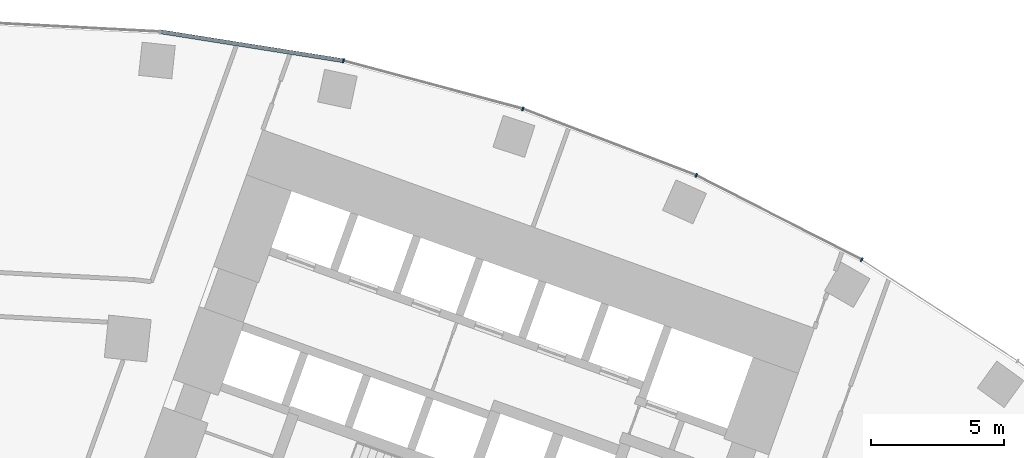
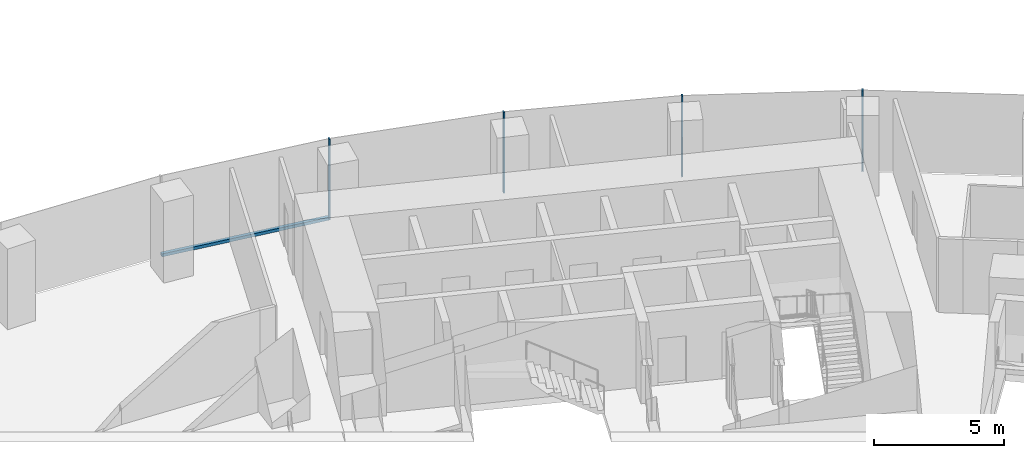
# One storey, part 11 of 21: 5 members, 1 element without a shape of its own.
"""IFC4 building model written with IfcOpenShell, lengths in metres."""

from ifc_helpers import new_model, si_unit, direction, frame, origin, origin_2d, place, context, subcontext, project, spatial, rectangle, extrude, material, layer, layer_set, material_profile, profile_set, type_object, element, aggregate, save


model = new_model("IFC4")

# Units and contexts
model_context = context("Model", 3, precision=1e-05, world=origin(), true_north=direction((0.0, 1.0)))
body_context = subcontext(model_context, "Body", "Model", "MODEL_VIEW")
ifc_project = project(units=[si_unit("LENGTHUNIT", "METRE"), si_unit("AREAUNIT", "SQUARE_METRE"), si_unit("VOLUMEUNIT", "CUBIC_METRE"), si_unit("PLANEANGLEUNIT", "RADIAN"), si_unit("MASSUNIT", "GRAM", prefix="KILO")], contexts=[model_context])

# Site, building, storey
site_placement = place(None, origin())
site = spatial("IfcSite", under=ifc_project, at=site_placement, CompositionType="ELEMENT")
building_placement = place(site_placement, origin())
building = spatial("IfcBuilding", under=site, at=building_placement, Name="Stone Belt Terrace Tower", CompositionType="ELEMENT")
storey_placement = place(building_placement, frame((0.0, 0.0, 68.0)))
storey = spatial("IfcBuildingStorey", under=building, at=storey_placement, Name="L16", CompositionType="ELEMENT", Elevation=68.0)

# Curtain wall, members
ifc_material = material(Name="Aluminium 6063-T6 anodised frame", Category="aluminium")
ifc_layer = layer(ifc_material, 0.14990234375)
ifc_layer_set = layer_set([ifc_layer], Name="CW-A unitised convex-face curtain wall")
curtain_wall_type = type_object("IfcCurtainWallType", Name="CW-A unitised convex-face curtain wall", PredefinedType="NOTDEFINED", material=ifc_layer_set)
curtain_wall_placement = place(storey_placement, origin())
curtain_wall = element("IfcCurtainWall", 1, at=curtain_wall_placement, inside=storey, type_object=curtain_wall_type, Name="CW-A convex face L16", PredefinedType="NOTDEFINED")
ifc_material_profile_1 = material_profile(ifc_material, rectangle(XDim=0.14990234375, YDim=0.06005859375, at=origin_2d()), Name="Aluminium 6063-T6 60x150")
ifc_profile_set_1 = profile_set([ifc_material_profile_1], Name="Aluminium 6063-T6 anodised frame")
member_type_1 = type_object("IfcMemberType", Name="CW-A mullion 60 x 150", PredefinedType="MULLION", material=ifc_profile_set_1)
member_1_placement = place(storey_placement, frame((33.28759765625, 57.65576171875, 0.0), z_axis=(0.0, 0.0, 1.0), x_axis=(-0.5, -0.866025403784, 0.0)))
member_1 = element("IfcMember", 2, at=member_1_placement, type_object=member_type_1, Name="CW-A mullion 4", PredefinedType="MULLION", context=body_context, shape_type="SweptSolid", body=[
    extrude(rectangle(XDim=0.14990234375, YDim=0.06005859375, at=origin_2d()), origin(), (0.0, 0.0, 1.0), 3.800048828125),
])
member_2_placement = place(storey_placement, frame((27.07861328125, 60.8193359375, 0.0), z_axis=(0.0, 0.0, 1.0), x_axis=(-0.406736643076, -0.913545457643, 0.0)))
member_2 = element("IfcMember", 3, at=member_2_placement, type_object=member_type_1, Name="CW-A mullion 5", PredefinedType="MULLION", context=body_context, shape_type="SweptSolid", body=[
    extrude(rectangle(XDim=0.14990234375, YDim=0.06005859375, at=origin_2d()), origin(), (0.0, 0.0, 1.0), 3.800048828125),
])
member_3_placement = place(storey_placement, frame((20.57275390625, 63.316650390625, 0.0), z_axis=(0.0, 0.0, 1.0), x_axis=(-0.309016994375, -0.951056516295, 0.0)))
member_3 = element("IfcMember", 4, at=member_3_placement, type_object=member_type_1, Name="CW-A mullion 6", PredefinedType="MULLION", context=body_context, shape_type="SweptSolid", body=[
    extrude(rectangle(XDim=0.14990234375, YDim=0.06005859375, at=origin_2d()), origin(), (0.0, 0.0, 1.0), 3.800048828125),
])
member_4_placement = place(storey_placement, frame((13.841796875, 65.120361328125, 0.0), z_axis=(0.0, 0.0, 1.0), x_axis=(-0.207911690818, -0.978147600734, 0.0)))
member_4 = element("IfcMember", 5, at=member_4_placement, type_object=member_type_1, Name="CW-A mullion 7", PredefinedType="MULLION", context=body_context, shape_type="SweptSolid", body=[
    extrude(rectangle(XDim=0.14990234375, YDim=0.06005859375, at=origin_2d()), origin(), (0.0, 0.0, 1.0), 3.800048828125),
])
ifc_material_profile_2 = material_profile(ifc_material, rectangle(XDim=0.14990234375, YDim=0.139892578125, at=origin_2d()), Name="Aluminium 6063-T6 150x140")
ifc_profile_set_2 = profile_set([ifc_material_profile_2], Name="Aluminium 6063-T6 anodised frame")
member_type_2 = type_object("IfcMemberType", Name="CW-A transom 140 x 150", PredefinedType="USERDEFINED", material=ifc_profile_set_2)
member_5_placement = place(storey_placement, frame((13.808349609375, 65.12548828125, 0.070068359375), z_axis=(-0.987687120531, 0.156442168027, 0.0), x_axis=(-0.156442168027, -0.987687120531, 0.0)))
member_5 = element("IfcMember", 6, at=member_5_placement, type_object=member_type_2, Name="CW-A transom 7.1", ObjectType="TRANSOM", PredefinedType="USERDEFINED", context=body_context, shape_type="SweptSolid", body=[
    extrude(rectangle(XDim=0.14990234375, YDim=0.139892578125, at=origin_2d()), origin(), (0.0, 0.0, 1.0), 6.90087890625),
])
aggregate(curtain_wall, [member_1, member_2, member_3, member_4, member_5])

save(model, "model.ifc")
